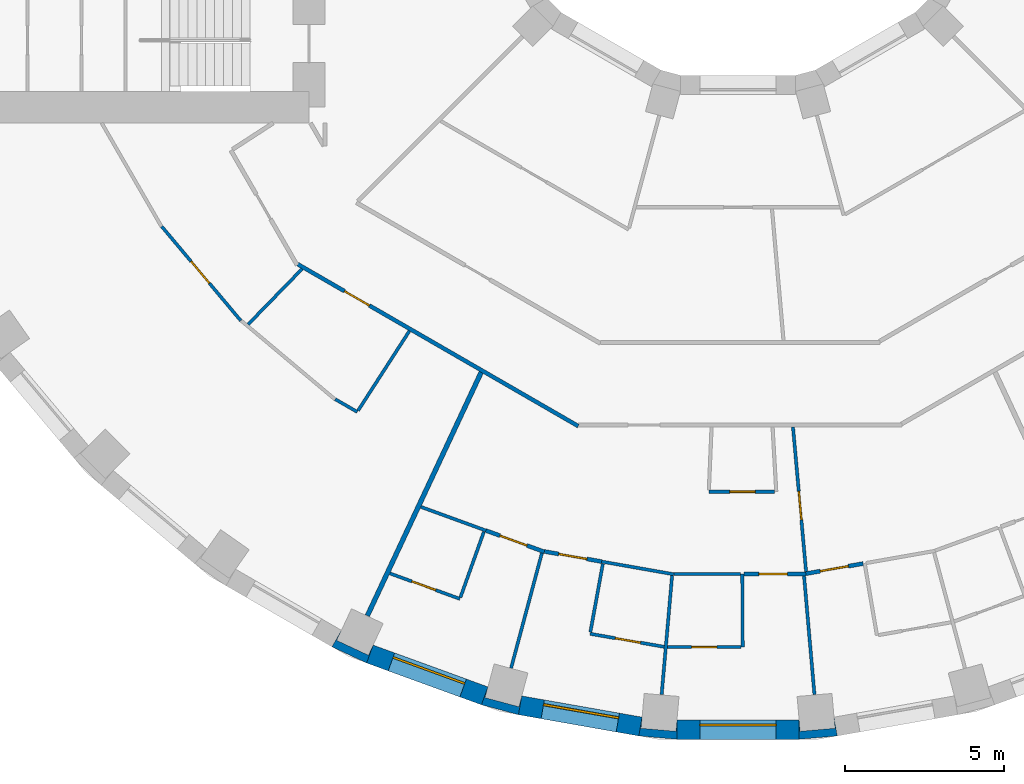
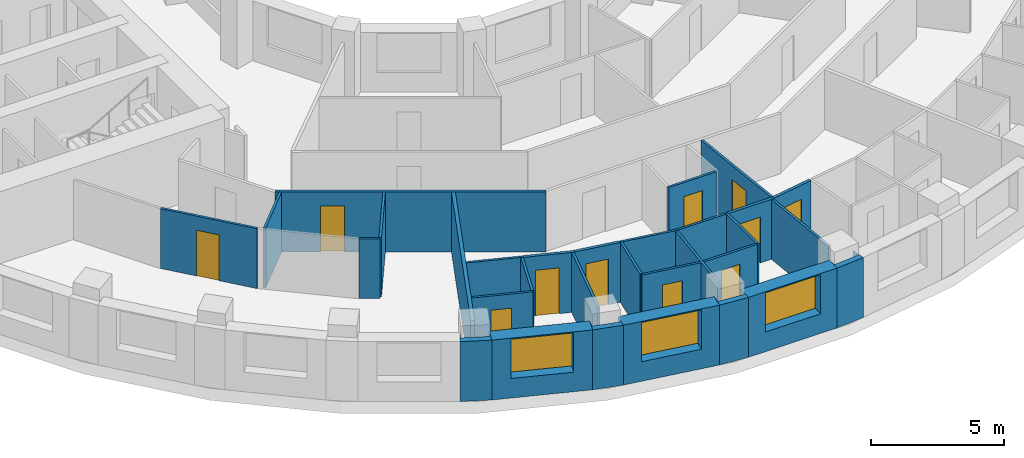
# One storey, part 4 of 15: 31 walls, 11 doors, 3 windows, 14 openings.
"""IFC4 building model written with IfcOpenShell, lengths in metres."""

from ifc_helpers import new_model, si_unit, direction, frame, frame_2d, origin, place, context, subcontext, project, spatial, polyline, rectangle, outline, extrude, material, layer, layer_set, type_object, element, fill, save


model = new_model("IFC4")

# Units and contexts
model_context = context("Model", 3, precision=1e-05, world=origin(), true_north=direction((0.0, 1.0)))
body_context = subcontext(model_context, "Body", "Model", "MODEL_VIEW")
ifc_project = project(units=[si_unit("LENGTHUNIT", "METRE"), si_unit("AREAUNIT", "SQUARE_METRE"), si_unit("VOLUMEUNIT", "CUBIC_METRE"), si_unit("PLANEANGLEUNIT", "RADIAN"), si_unit("MASSUNIT", "GRAM", prefix="KILO")], contexts=[model_context])

# Site, building, storey
site_placement = place(None, origin())
site = spatial("IfcSite", under=ifc_project, at=site_placement, CompositionType="ELEMENT")
building_placement = place(site_placement, origin())
building = spatial("IfcBuilding", under=site, at=building_placement, Name="Saqina Gate Tower", CompositionType="ELEMENT")
storey_placement = place(building_placement, frame((0.0, 0.0, 56.0)))
storey = spatial("IfcBuildingStorey", under=building, at=storey_placement, Name="L15", CompositionType="ELEMENT", Elevation=56.0)

# Walls
ifc_material_1 = material(Name="Brick masonry (red)", Category="masonry")
wall_type_1 = type_object("IfcWallType", Name="BRICK PIER COPING RED", PredefinedType="SOLIDWALL", material=ifc_material_1)
wall_1_placement = place(storey_placement, origin())
element("IfcWall", 1, at=wall_1_placement, inside=storey, type_object=wall_type_1, Name="Pier cap L15 column 25", PredefinedType="SOLIDWALL", context=body_context, shape_type="SweptSolid", body=[
    extrude(outline(polyline([(-11.687744140625, -26.48974609375), (-11.482666015625, -25.92578125), (-11.630615234375, -26.243408203125), (-12.627685546875, -25.778564453125), (-12.4794921875, -25.4609375), (-12.779541015625, -25.980712890625), (-11.687744140625, -26.48974609375)])), origin(), (0.0, 0.0, 1.0), 2.75),
])
wall_2_placement = place(storey_placement, origin())
element("IfcWall", 2, at=wall_2_placement, inside=storey, type_object=wall_type_1, Name="Pier cap L15 column 26", PredefinedType="SOLIDWALL", context=body_context, shape_type="SweptSolid", body=[
    extrude(outline(polyline([(-6.910400390625, -28.11669921875), (-6.80615234375, -27.52587890625), (-6.896728515625, -27.864501953125), (-7.95947265625, -27.57958984375), (-7.86865234375, -27.2412109375), (-8.073974609375, -27.80517578125), (-6.910400390625, -28.11669921875)])), origin(), (0.0, 0.0, 1.0), 2.75),
])
wall_3_placement = place(storey_placement, origin())
element("IfcWall", 3, at=wall_3_placement, inside=storey, type_object=wall_type_1, Name="Pier cap L15 column 27", PredefinedType="SOLIDWALL", context=body_context, shape_type="SweptSolid", body=[
    extrude(outline(polyline([(-3.122802734375, -28.78466796875), (-1.9228515625, -28.8896484375), (-1.9228515625, -28.28955078125), (-1.95361328125, -28.638671875), (-3.04931640625, -28.54296875), (-3.018798828125, -28.19384765625), (-3.122802734375, -28.78466796875)])), origin(), (0.0, 0.0, 1.0), 2.75),
])
wall_4_placement = place(storey_placement, origin())
element("IfcWall", 4, at=wall_4_placement, inside=storey, type_object=wall_type_1, Name="Pier cap L15 column 28", PredefinedType="SOLIDWALL", context=body_context, shape_type="SweptSolid", body=[
    extrude(outline(polyline([(1.9228515625, -28.8896484375), (3.122802734375, -28.78466796875), (3.018798828125, -28.19384765625), (3.04931640625, -28.54296875), (1.95361328125, -28.638671875), (1.9228515625, -28.28955078125), (1.9228515625, -28.8896484375)])), origin(), (0.0, 0.0, 1.0), 2.75),
])

# Wall, opening, window
ifc_material_2 = material(Name="Brick masonry (red)", Category="masonry")
ifc_layer_1 = layer(ifc_material_2, 0.60009765625)
ifc_layer_set_1 = layer_set([ifc_layer_1], Name="FW-BRICK-RED")
wall_type_2 = type_object("IfcWallType", Name="FW-BRICK-RED", PredefinedType="SOLIDWALL", material=ifc_layer_set_1)
wall_5_placement = place(storey_placement, frame((-11.585205078125, -26.207763671875, 0.0), z_axis=(0.0, 0.0, 1.0), x_axis=(0.939689588564, -0.342028474173, 0.0)))
wall_5 = element("IfcWall", 5, at=wall_5_placement, inside=storey, type_object=wall_type_2, Name="Facade wall L15 facet 25", PredefinedType="SOLIDWALL", context=body_context, shape_type="SweptSolid", body=[
    extrude(rectangle(XDim=3.845947265625, YDim=0.60009765625, at=frame_2d((1.9228515625, 0.0))), origin(), (0.0, 0.0, 1.0), 2.75),
])
opening_1_placement = place(wall_5_placement, frame((0.722900390625, 0.0, 0.89990234375)))
opening_1 = element("IfcOpeningElement", 6, at=opening_1_placement, cuts=wall_5, Name="Opening G04-W15", PredefinedType="OPENING", context=body_context, shape_type="SweptSolid", body=[
    extrude(rectangle(XDim=2.39990234375, YDim=1.800048828125, at=frame_2d((1.199951171875, 0.89990234375))), frame((0.0, 0.31201171875, 0.0), z_axis=(0.0, -1.0, 0.0), x_axis=(1.0, 0.0, 0.0)), (0.0, 0.0, 1.0), 0.6240234375),
])
ifc_material_3 = material(Name="Aluminium glazing", Category="aluminium")
window_type = type_object("IfcWindowType", Name="WN-A", PartitioningType="SINGLE_PANEL", PredefinedType="WINDOW", material=ifc_material_3)
window_1_placement = place(opening_1_placement, origin())
window_1 = element("IfcWindow", 7, at=window_1_placement, inside=storey, type_object=window_type, Name="Window L15 facet 25", OverallHeight=1.800048828125, OverallWidth=2.39990234375, PartitioningType="SINGLE_PANEL", PredefinedType="WINDOW", context=body_context, shape_type="SweptSolid", body=[
    extrude(rectangle(XDim=2.39990234375, YDim=1.800048828125, at=frame_2d((1.199951171875, 0.89990234375))), frame((0.0, 0.179931640625, 0.0), z_axis=(0.0, -1.0, 0.0), x_axis=(1.0, 0.0, 0.0)), (0.0, 0.0, 1.0), 0.06005859375),
])
fill(opening_1, window_1)

wall_6_placement = place(storey_placement, frame((-6.858154296875, -27.8212890625, 0.0), z_axis=(0.0, 0.0, 1.0), x_axis=(0.984800809218, -0.173687553279, 0.0)))
wall_6 = element("IfcWall", 8, at=wall_6_placement, inside=storey, type_object=wall_type_2, Name="Facade wall L15 facet 26", PredefinedType="SOLIDWALL", context=body_context, shape_type="SweptSolid", body=[
    extrude(rectangle(XDim=3.845703125, YDim=0.60009765625, at=frame_2d((1.9228515625, 0.0))), origin(), (0.0, 0.0, 1.0), 2.75),
])
opening_2_placement = place(wall_6_placement, frame((0.722900390625, 0.0, 0.89990234375)))
opening_2 = element("IfcOpeningElement", 9, at=opening_2_placement, cuts=wall_6, Name="Opening G04-W16", PredefinedType="OPENING", context=body_context, shape_type="SweptSolid", body=[
    extrude(rectangle(XDim=2.39990234375, YDim=1.800048828125, at=frame_2d((1.199951171875, 0.89990234375))), frame((0.0, 0.31201171875, 0.0), z_axis=(0.0, -1.0, 0.0), x_axis=(1.0, 0.0, 0.0)), (0.0, 0.0, 1.0), 0.6240234375),
])
window_2_placement = place(opening_2_placement, origin())
window_2 = element("IfcWindow", 10, at=window_2_placement, inside=storey, type_object=window_type, Name="Window L15 facet 26", OverallHeight=1.800048828125, OverallWidth=2.39990234375, PartitioningType="SINGLE_PANEL", PredefinedType="WINDOW", context=body_context, shape_type="SweptSolid", body=[
    extrude(rectangle(XDim=2.39990234375, YDim=1.800048828125, at=frame_2d((1.199951171875, 0.89990234375))), frame((0.0, 0.179931640625, 0.0), z_axis=(0.0, -1.0, 0.0), x_axis=(1.0, 0.0, 0.0)), (0.0, 0.0, 1.0), 0.06005859375),
])
fill(opening_2, window_2)

wall_7_placement = place(storey_placement, frame((-1.9228515625, -28.589599609375, 0.0), z_axis=(0.0, 0.0, 1.0), x_axis=(1.0, 0.0, 0.0)))
wall_7 = element("IfcWall", 11, at=wall_7_placement, inside=storey, type_object=wall_type_2, Name="Facade wall L15 facet 27", PredefinedType="SOLIDWALL", context=body_context, shape_type="SweptSolid", body=[
    extrude(rectangle(XDim=3.845703125, YDim=0.60009765625, at=frame_2d((1.9228515625, 0.0))), origin(), (0.0, 0.0, 1.0), 2.75),
])
opening_3_placement = place(wall_7_placement, frame((0.722900390625, 0.0, 0.89990234375)))
opening_3 = element("IfcOpeningElement", 12, at=opening_3_placement, cuts=wall_7, Name="Opening G04-W17", PredefinedType="OPENING", context=body_context, shape_type="SweptSolid", body=[
    extrude(rectangle(XDim=2.39990234375, YDim=1.800048828125, at=frame_2d((1.199951171875, 0.89990234375))), frame((0.0, 0.31201171875, 0.0), z_axis=(0.0, -1.0, 0.0), x_axis=(1.0, 0.0, 0.0)), (0.0, 0.0, 1.0), 0.6240234375),
])
window_3_placement = place(opening_3_placement, origin())
window_3 = element("IfcWindow", 13, at=window_3_placement, inside=storey, type_object=window_type, Name="Window L15 facet 27", OverallHeight=1.800048828125, OverallWidth=2.39990234375, PartitioningType="SINGLE_PANEL", PredefinedType="WINDOW", context=body_context, shape_type="SweptSolid", body=[
    extrude(rectangle(XDim=2.39990234375, YDim=1.800048828125, at=frame_2d((1.199951171875, 0.89990234375))), frame((0.0, 0.179931640625, 0.0), z_axis=(0.0, -1.0, 0.0), x_axis=(1.0, 0.0, 0.0)), (0.0, 0.0, 1.0), 0.06005859375),
])
fill(opening_3, window_3)

# Walls
ifc_material_4 = material(Name="Gypsum board on steel studs, 100 mm", Category="steel")
ifc_layer_2 = layer(ifc_material_4, 0.10009765625)
ifc_layer_set_2 = layer_set([ifc_layer_2], Name="PARTITION 100")
wall_type_3 = type_object("IfcWallType", Name="PARTITION 100", PredefinedType="PARTITIONING", material=ifc_layer_set_2)
wall_8_placement = place(storey_placement, frame((0.133056640625, -23.68994140625, 0.0), z_axis=(0.0, 0.0, 1.0), x_axis=(0.005625640731, -0.999984175958, 0.0)))
element("IfcWall", 14, at=wall_8_placement, inside=storey, type_object=wall_type_3, Name="PARTITION PW3-01", PredefinedType="PARTITIONING", context=body_context, shape_type="SweptSolid", body=[
    extrude(rectangle(XDim=2.300048828125, YDim=0.10009765625, at=frame_2d((1.14990234375, 0.0))), origin(), (0.0, 0.0, 1.0), 2.75),
])
wall_9_placement = place(storey_placement, frame((2.07666015625, -23.75244140625, 0.0), z_axis=(0.0, 0.0, 1.0), x_axis=(0.087439331166, -0.996169846645, 0.0)))
element("IfcWall", 15, at=wall_9_placement, inside=storey, type_object=wall_type_3, Name="PARTITION PW3-03", PredefinedType="PARTITIONING", context=body_context, shape_type="SweptSolid", body=[
    extrude(rectangle(XDim=3.7470703125, YDim=0.10009765625, at=frame_2d((1.87353515625, 0.0))), origin(), (0.0, 0.0, 1.0), 2.75),
])

# Wall, opening, door
wall_10_placement = place(storey_placement, frame((1.7275390625, -19.062255859375, 0.0), z_axis=(0.0, 0.0, 1.0), x_axis=(0.090314228744, -0.995913319565, 0.0)))
wall_10 = element("IfcWall", 16, at=wall_10_placement, inside=storey, type_object=wall_type_3, Name="PARTITION PW3-06", PredefinedType="PARTITIONING", context=body_context, shape_type="SweptSolid", body=[
    extrude(rectangle(XDim=4.5712890625, YDim=0.10009765625, at=frame_2d((2.28564453125, 0.0))), origin(), (0.0, 0.0, 1.0), 2.75),
])
opening_4_placement = place(wall_10_placement, frame((2.03564453125, 0.0, 0.0)))
opening_4 = element("IfcOpeningElement", 17, at=opening_4_placement, cuts=wall_10, Name="Opening G04-D51", PredefinedType="OPENING", context=body_context, shape_type="SweptSolid", body=[
    extrude(rectangle(XDim=0.89990234375, YDim=2.10009765625, at=frame_2d((0.449951171875, 1.050048828125))), frame((0.0, 0.06201171875, 0.0), z_axis=(0.0, -1.0, 0.0), x_axis=(1.0, 0.0, 0.0)), (0.0, 0.0, 1.0), 0.1240234375),
])
ifc_material_5 = material(Name="Timber door leaf, 900 mm", Category="wood")
door_type_1 = type_object("IfcDoorType", Name="DOOR 900 TIMBER", OperationType="SINGLE_SWING_LEFT", PredefinedType="DOOR", material=ifc_material_5)
door_1_placement = place(opening_4_placement, frame((0.89990234375, 0.0, 0.0), z_axis=(0.0, 0.0, 1.0), x_axis=(-1.0, 0.0, 0.0)))
door_1 = element("IfcDoor", 18, at=door_1_placement, inside=storey, type_object=door_type_1, Name="DOOR G04-D51", OperationType="SINGLE_SWING_RIGHT", OverallHeight=2.10009765625, OverallWidth=0.89990234375, PredefinedType="DOOR", context=body_context, shape_type="SweptSolid", body=[
    extrude(rectangle(XDim=0.89990234375, YDim=2.10009765625, at=frame_2d((0.449951171875, 1.050048828125))), frame((0.0, 0.02490234375, 0.0), z_axis=(0.0, -1.0, 0.0), x_axis=(1.0, 0.0, 0.0)), (0.0, 0.0, 1.0), 0.050048828125),
])
fill(opening_4, door_1)

wall_11_placement = place(storey_placement, frame((-18.1318359375, -12.75634765625, 0.0), z_axis=(0.0, 0.0, 1.0), x_axis=(0.642851400185, -0.765990912009, 0.0)))
wall_11 = element("IfcWall", 19, at=wall_11_placement, inside=storey, type_object=wall_type_3, Name="PARTITION PW3-21", PredefinedType="PARTITIONING", context=body_context, shape_type="SweptSolid", body=[
    extrude(rectangle(XDim=3.8662109375, YDim=0.10009765625, at=frame_2d((1.93310546875, 0.0))), origin(), (0.0, 0.0, 1.0), 2.75),
])
opening_5_placement = place(wall_11_placement, frame((1.432861328125, 0.0, 0.0)))
opening_5 = element("IfcOpeningElement", 20, at=opening_5_placement, cuts=wall_11, Name="Opening G04-D38", PredefinedType="OPENING", context=body_context, shape_type="SweptSolid", body=[
    extrude(rectangle(XDim=0.89990234375, YDim=2.10009765625, at=frame_2d((0.449951171875, 1.050048828125))), frame((0.0, 0.06201171875, 0.0), z_axis=(0.0, -1.0, 0.0), x_axis=(1.0, 0.0, 0.0)), (0.0, 0.0, 1.0), 0.1240234375),
])
door_2_placement = place(opening_5_placement, frame((0.89990234375, 0.0, 0.0), z_axis=(0.0, 0.0, 1.0), x_axis=(-1.0, 0.0, 0.0)))
door_2 = element("IfcDoor", 21, at=door_2_placement, inside=storey, type_object=door_type_1, Name="DOOR G04-D38", OperationType="SINGLE_SWING_RIGHT", OverallHeight=2.10009765625, OverallWidth=0.89990234375, PredefinedType="DOOR", context=body_context, shape_type="SweptSolid", body=[
    extrude(rectangle(XDim=0.89990234375, YDim=2.10009765625, at=frame_2d((0.449951171875, 1.050048828125))), frame((0.0, 0.02490234375, 0.0), z_axis=(0.0, -1.0, 0.0), x_axis=(1.0, 0.0, 0.0)), (0.0, 0.0, 1.0), 0.050048828125),
])
fill(opening_5, door_2)

# Wall
wall_12_placement = place(storey_placement, frame((-12.6748046875, -18.18896484375, 0.0), z_axis=(0.0, 0.0, 1.0), x_axis=(0.865961984968, -0.500109828528, 0.0)))
element("IfcWall", 22, at=wall_12_placement, inside=storey, type_object=wall_type_3, Name="PARTITION PW3-39", PredefinedType="PARTITIONING", context=body_context, shape_type="SweptSolid", body=[
    extrude(rectangle(XDim=0.800048828125, YDim=0.10009765625, at=frame_2d((0.39990234375, 0.0))), origin(), (0.0, 0.0, 1.0), 2.75),
])

# Wall, opening, door
wall_13_placement = place(storey_placement, frame((-10.95458984375, -23.670654296875, 0.0), z_axis=(0.0, 0.0, 1.0), x_axis=(0.939750838969, -0.341860147805, 0.0)))
wall_13 = element("IfcWall", 23, at=wall_13_placement, inside=storey, type_object=wall_type_3, Name="PARTITION PW3-47", PredefinedType="PARTITIONING", context=body_context, shape_type="SweptSolid", body=[
    extrude(rectangle(XDim=2.34375, YDim=0.10009765625, at=frame_2d((1.171875, 0.0))), origin(), (0.0, 0.0, 1.0), 2.75),
])
opening_6_placement = place(wall_13_placement, frame((0.734375, 0.0, 0.0)))
opening_6 = element("IfcOpeningElement", 24, at=opening_6_placement, cuts=wall_13, Name="Opening G04-D42", PredefinedType="OPENING", context=body_context, shape_type="SweptSolid", body=[
    extrude(rectangle(XDim=0.800048828125, YDim=2.10009765625, at=frame_2d((0.39990234375, 1.050048828125))), frame((0.0, 0.06201171875, 0.0), z_axis=(0.0, -1.0, 0.0), x_axis=(1.0, 0.0, 0.0)), (0.0, 0.0, 1.0), 0.1240234375),
])
ifc_material_6 = material(Name="Timber door leaf, 800 mm", Category="wood")
door_type_2 = type_object("IfcDoorType", Name="DOOR 800 TIMBER", OperationType="SINGLE_SWING_LEFT", PredefinedType="DOOR", material=ifc_material_6)
door_3_placement = place(opening_6_placement, frame((0.800048828125, 0.0, 0.0), z_axis=(0.0, 0.0, 1.0), x_axis=(-1.0, 0.0, 0.0)))
door_3 = element("IfcDoor", 25, at=door_3_placement, inside=storey, type_object=door_type_2, Name="DOOR G04-D42", OperationType="SINGLE_SWING_RIGHT", OverallHeight=2.10009765625, OverallWidth=0.800048828125, PredefinedType="DOOR", context=body_context, shape_type="SweptSolid", body=[
    extrude(rectangle(XDim=0.800048828125, YDim=2.10009765625, at=frame_2d((0.39990234375, 1.050048828125))), frame((0.0, 0.02490234375, 0.0), z_axis=(0.0, -1.0, 0.0), x_axis=(1.0, 0.0, 0.0)), (0.0, 0.0, 1.0), 0.050048828125),
])
fill(opening_6, door_3)

# Wall
wall_14_placement = place(storey_placement, frame((-9.9794921875, -21.57763671875, 0.0), z_axis=(0.0, 0.0, 1.0), x_axis=(0.939731280586, -0.341913907714, 0.0)))
element("IfcWall", 26, at=wall_14_placement, inside=storey, type_object=wall_type_3, Name="PARTITION PW3-48", PredefinedType="PARTITIONING", context=body_context, shape_type="SweptSolid", body=[
    extrude(rectangle(XDim=2.179931640625, YDim=0.10009765625, at=frame_2d((1.08984375, 0.0))), origin(), (0.0, 0.0, 1.0), 2.75),
])

# Wall, opening, door
wall_15_placement = place(storey_placement, frame((-4.656005859375, -25.570068359375, 0.0), z_axis=(0.0, 0.0, 1.0), x_axis=(0.984821926169, -0.173567778511, 0.0)))
wall_15 = element("IfcWall", 27, at=wall_15_placement, inside=storey, type_object=wall_type_3, Name="PARTITION PW3-51", PredefinedType="PARTITIONING", context=body_context, shape_type="SweptSolid", body=[
    extrude(rectangle(XDim=2.36865234375, YDim=0.10009765625, at=frame_2d((1.184326171875, 0.0))), origin(), (0.0, 0.0, 1.0), 2.75),
])
opening_7_placement = place(wall_15_placement, frame((0.809326171875, 0.0, 0.0)))
opening_7 = element("IfcOpeningElement", 28, at=opening_7_placement, cuts=wall_15, Name="Opening G04-D46", PredefinedType="OPENING", context=body_context, shape_type="SweptSolid", body=[
    extrude(rectangle(XDim=0.800048828125, YDim=2.10009765625, at=frame_2d((0.39990234375, 1.050048828125))), frame((0.0, 0.06201171875, 0.0), z_axis=(0.0, -1.0, 0.0), x_axis=(1.0, 0.0, 0.0)), (0.0, 0.0, 1.0), 0.1240234375),
])
door_4_placement = place(opening_7_placement, frame((0.800048828125, 0.0, 0.0), z_axis=(0.0, 0.0, 1.0), x_axis=(-1.0, 0.0, 0.0)))
door_4 = element("IfcDoor", 29, at=door_4_placement, inside=storey, type_object=door_type_2, Name="DOOR G04-D46", OperationType="SINGLE_SWING_LEFT", OverallHeight=2.10009765625, OverallWidth=0.800048828125, PredefinedType="DOOR", context=body_context, shape_type="SweptSolid", body=[
    extrude(rectangle(XDim=0.800048828125, YDim=2.10009765625, at=frame_2d((0.39990234375, 1.050048828125))), frame((0.0, 0.02490234375, 0.0), z_axis=(0.0, -1.0, 0.0), x_axis=(1.0, 0.0, 0.0)), (0.0, 0.0, 1.0), 0.050048828125),
])
fill(opening_7, door_4)

# Wall
wall_16_placement = place(storey_placement, frame((-4.293212890625, -23.29833984375, 0.0), z_axis=(0.0, 0.0, 1.0), x_axis=(0.984801677979, -0.173682627367, 0.0)))
element("IfcWall", 30, at=wall_16_placement, inside=storey, type_object=wall_type_3, Name="PARTITION PW3-52", PredefinedType="PARTITIONING", context=body_context, shape_type="SweptSolid", body=[
    extrude(rectangle(XDim=2.305419921875, YDim=0.10009765625, at=frame_2d((1.15283203125, 0.0))), origin(), (0.0, 0.0, 1.0), 2.75),
])

# Wall, opening, door
wall_17_placement = place(storey_placement, frame((-2.22412109375, -25.989990234375, 0.0), z_axis=(0.0, 0.0, 1.0), x_axis=(1.0, 0.0, 0.0)))
wall_17 = element("IfcWall", 31, at=wall_17_placement, inside=storey, type_object=wall_type_3, Name="PARTITION PW3-55", PredefinedType="PARTITIONING", context=body_context, shape_type="SweptSolid", body=[
    extrude(rectangle(XDim=2.320068359375, YDim=0.10009765625, at=frame_2d((1.16015625, 0.0))), origin(), (0.0, 0.0, 1.0), 2.75),
])
opening_8_placement = place(wall_17_placement, frame((0.760009765625, 0.0, 0.0)))
opening_8 = element("IfcOpeningElement", 32, at=opening_8_placement, cuts=wall_17, Name="Opening G04-D47", PredefinedType="OPENING", context=body_context, shape_type="SweptSolid", body=[
    extrude(rectangle(XDim=0.800048828125, YDim=2.10009765625, at=frame_2d((0.39990234375, 1.050048828125))), frame((0.0, 0.06201171875, 0.0), z_axis=(0.0, -1.0, 0.0), x_axis=(1.0, 0.0, 0.0)), (0.0, 0.0, 1.0), 0.1240234375),
])
door_5_placement = place(opening_8_placement, frame((0.800048828125, 0.0, 0.0), z_axis=(0.0, 0.0, 1.0), x_axis=(-1.0, 0.0, 0.0)))
door_5 = element("IfcDoor", 33, at=door_5_placement, inside=storey, type_object=door_type_2, Name="DOOR G04-D47", OperationType="SINGLE_SWING_RIGHT", OverallHeight=2.10009765625, OverallWidth=0.800048828125, PredefinedType="DOOR", context=body_context, shape_type="SweptSolid", body=[
    extrude(rectangle(XDim=0.800048828125, YDim=2.10009765625, at=frame_2d((0.39990234375, 1.050048828125))), frame((0.0, 0.02490234375, 0.0), z_axis=(0.0, -1.0, 0.0), x_axis=(1.0, 0.0, 0.0)), (0.0, 0.0, 1.0), 0.050048828125),
])
fill(opening_8, door_5)

# Wall
wall_18_placement = place(storey_placement, frame((-2.02294921875, -23.68994140625, 0.0), z_axis=(0.0, 0.0, 1.0), x_axis=(1.0, 0.0, 0.0)))
element("IfcWall", 34, at=wall_18_placement, inside=storey, type_object=wall_type_3, Name="PARTITION PW3-56", PredefinedType="PARTITIONING", context=body_context, shape_type="SweptSolid", body=[
    extrude(rectangle(XDim=2.10595703125, YDim=0.10009765625, at=frame_2d((1.052978515625, 0.0))), origin(), (0.0, 0.0, 1.0), 2.75),
])

# Wall, opening, door
wall_19_placement = place(storey_placement, frame((-0.9208984375, -21.10009765625, 0.0), z_axis=(0.0, 0.0, 1.0), x_axis=(1.0, 0.0, 0.0)))
wall_19 = element("IfcWall", 35, at=wall_19_placement, inside=storey, type_object=wall_type_3, Name="PARTITION PW3-57", PredefinedType="PARTITIONING", context=body_context, shape_type="SweptSolid", body=[
    extrude(rectangle(XDim=2.072998046875, YDim=0.10009765625, at=frame_2d((1.03662109375, 0.0))), origin(), (0.0, 0.0, 1.0), 2.75),
])
opening_9_placement = place(wall_19_placement, frame((0.66162109375, 0.0, 0.0)))
opening_9 = element("IfcOpeningElement", 36, at=opening_9_placement, cuts=wall_19, Name="Opening G04-D49", PredefinedType="OPENING", context=body_context, shape_type="SweptSolid", body=[
    extrude(rectangle(XDim=0.800048828125, YDim=2.10009765625, at=frame_2d((0.39990234375, 1.050048828125))), frame((0.0, 0.06201171875, 0.0), z_axis=(0.0, -1.0, 0.0), x_axis=(1.0, 0.0, 0.0)), (0.0, 0.0, 1.0), 0.1240234375),
])
door_6_placement = place(opening_9_placement, frame((0.800048828125, 0.0, 0.0), z_axis=(0.0, 0.0, 1.0), x_axis=(-1.0, 0.0, 0.0)))
door_6 = element("IfcDoor", 37, at=door_6_placement, inside=storey, type_object=door_type_2, Name="DOOR G04-D49", OperationType="SINGLE_SWING_LEFT", OverallHeight=2.10009765625, OverallWidth=0.800048828125, PredefinedType="DOOR", context=body_context, shape_type="SweptSolid", body=[
    extrude(rectangle(XDim=0.800048828125, YDim=2.10009765625, at=frame_2d((0.39990234375, 1.050048828125))), frame((0.0, 0.02490234375, 0.0), z_axis=(0.0, -1.0, 0.0), x_axis=(1.0, 0.0, 0.0)), (0.0, 0.0, 1.0), 0.050048828125),
])
fill(opening_9, door_6)

# Walls
wall_20_placement = place(storey_placement, frame((-15.4150390625, -15.835205078125, 0.0), z_axis=(0.0, 0.0, 1.0), x_axis=(0.697366094861, 0.716715096631, 0.0)))
element("IfcWall", 38, at=wall_20_placement, inside=storey, type_object=wall_type_3, Name="PARTITION PW3-83", PredefinedType="PARTITIONING", context=body_context, shape_type="SweptSolid", body=[
    extrude(rectangle(XDim=2.435302734375, YDim=0.10009765625, at=frame_2d((1.2177734375, 0.0))), origin(), (0.0, 0.0, 1.0), 2.75),
])
wall_21_placement = place(storey_placement, frame((-11.954833984375, -18.546875, 0.0), z_axis=(0.0, 0.0, 1.0), x_axis=(0.541837653492, 0.840483168932, 0.0)))
element("IfcWall", 39, at=wall_21_placement, inside=storey, type_object=wall_type_3, Name="PARTITION PW3-90", PredefinedType="PARTITIONING", context=body_context, shape_type="SweptSolid", body=[
    extrude(rectangle(XDim=2.98046875, YDim=0.10009765625, at=frame_2d((1.490234375, 0.0))), origin(), (0.0, 0.0, 1.0), 2.75),
])
wall_22_placement = place(storey_placement, frame((-8.735107421875, -24.4248046875, 0.0), z_axis=(0.0, 0.0, 1.0), x_axis=(0.336477788464, 0.941691402674, 0.0)))
element("IfcWall", 40, at=wall_22_placement, inside=storey, type_object=wall_type_3, Name="PARTITION PW3-103", PredefinedType="PARTITIONING", context=body_context, shape_type="SweptSolid", body=[
    extrude(rectangle(XDim=2.1875, YDim=0.10009765625, at=frame_2d((1.09375, 0.0))), origin(), (0.0, 0.0, 1.0), 2.75),
])
wall_23_placement = place(storey_placement, frame((-7.14111328125, -26.64990234375, 0.0), z_axis=(0.0, 0.0, 1.0), x_axis=(0.258842464283, 0.965919550834, 0.0)))
element("IfcWall", 41, at=wall_23_placement, inside=storey, type_object=wall_type_3, Name="PARTITION PW3-106", PredefinedType="PARTITIONING", context=body_context, shape_type="SweptSolid", body=[
    extrude(rectangle(XDim=3.747314453125, YDim=0.10009765625, at=frame_2d((1.87353515625, 0.0))), origin(), (0.0, 0.0, 1.0), 2.75),
])
wall_24_placement = place(storey_placement, frame((-4.64697265625, -25.520751953125, 0.0), z_axis=(0.0, 0.0, 1.0), x_axis=(0.179130970408, 0.983825236229, 0.0)))
element("IfcWall", 42, at=wall_24_placement, inside=storey, type_object=wall_type_3, Name="PARTITION PW3-109", PredefinedType="PARTITIONING", context=body_context, shape_type="SweptSolid", body=[
    extrude(rectangle(XDim=2.1875, YDim=0.10009765625, at=frame_2d((1.09375, 0.0))), origin(), (0.0, 0.0, 1.0), 2.75),
])
wall_25_placement = place(storey_placement, frame((-2.404296875, -27.485107421875, 0.0), z_axis=(0.0, 0.0, 1.0), x_axis=(0.087473063517, 0.996166885195, 0.0)))
element("IfcWall", 43, at=wall_25_placement, inside=storey, type_object=wall_type_3, Name="PARTITION PW3-111", PredefinedType="PARTITIONING", context=body_context, shape_type="SweptSolid", body=[
    extrude(rectangle(XDim=3.759521484375, YDim=0.10009765625, at=frame_2d((1.8798828125, 0.0))), origin(), (0.0, 0.0, 1.0), 2.75),
])

# Wall, opening, door
ifc_material_7 = material(Name="Gypsum board on steel studs, 125 mm, fire rated", Category="steel")
ifc_layer_3 = layer(ifc_material_7, 0.125)
ifc_layer_set_3 = layer_set([ifc_layer_3], Name="PARTITION EI 30 125")
wall_type_4 = type_object("IfcWallType", Name="PARTITION EI 30 125", PredefinedType="PARTITIONING", material=ifc_layer_set_3)
wall_26_placement = place(storey_placement, frame((-13.85498046875, -13.940185546875, 0.0), z_axis=(0.0, 0.0, 1.0), x_axis=(0.866024825845, -0.50000100102, 0.0)))
wall_26 = element("IfcWall", 44, at=wall_26_placement, inside=storey, type_object=wall_type_4, Name="PARTITION PW1-10", PredefinedType="PARTITIONING", context=body_context, shape_type="SweptSolid", body=[
    extrude(rectangle(XDim=10.19189453125, YDim=0.125, at=frame_2d((5.095947265625, 0.0))), origin(), (0.0, 0.0, 1.0), 2.75),
])
opening_10_placement = place(wall_26_placement, frame((1.703857421875, 0.0, 0.0)))
opening_10 = element("IfcOpeningElement", 45, at=opening_10_placement, cuts=wall_26, Name="Opening G04-D39", PredefinedType="OPENING", context=body_context, shape_type="SweptSolid", body=[
    extrude(rectangle(XDim=0.89990234375, YDim=2.10009765625, at=frame_2d((0.449951171875, 1.050048828125))), frame((0.0, 0.074462890625, 0.0), z_axis=(0.0, -1.0, 0.0), x_axis=(1.0, 0.0, 0.0)), (0.0, 0.0, 1.0), 0.14892578125),
])
ifc_material_8 = material(Name="Fire door leaf EI 30, 900 mm")
door_type_3 = type_object("IfcDoorType", Name="DOOR 900 EI 30", OperationType="SINGLE_SWING_LEFT", PredefinedType="DOOR", material=ifc_material_8)
door_7_placement = place(opening_10_placement, frame((0.89990234375, 0.0, 0.0), z_axis=(0.0, 0.0, 1.0), x_axis=(-1.0, 0.0, 0.0)))
door_7 = element("IfcDoor", 46, at=door_7_placement, inside=storey, type_object=door_type_3, Name="DOOR G04-D39", OperationType="SINGLE_SWING_RIGHT", OverallHeight=2.10009765625, OverallWidth=0.89990234375, PredefinedType="DOOR", context=body_context, shape_type="SweptSolid", body=[
    extrude(rectangle(XDim=0.89990234375, YDim=2.10009765625, at=frame_2d((0.449951171875, 1.050048828125))), frame((0.0, 0.02490234375, 0.0), z_axis=(0.0, -1.0, 0.0), x_axis=(1.0, 0.0, 0.0)), (0.0, 0.0, 1.0), 0.050048828125),
])
fill(opening_10, door_7)

wall_27_placement = place(storey_placement, frame((-7.930908203125, -22.322998046875, 0.0), z_axis=(0.0, 0.0, 1.0), x_axis=(0.9395852567, -0.342314979795, 0.0)))
wall_27 = element("IfcWall", 47, at=wall_27_placement, inside=storey, type_object=wall_type_4, Name="PARTITION PW1-17", PredefinedType="PARTITIONING", context=body_context, shape_type="SweptSolid", body=[
    extrude(rectangle(XDim=1.953369140625, YDim=0.125, at=frame_2d((0.9765625, 0.0))), origin(), (0.0, 0.0, 1.0), 2.75),
])
opening_11_placement = place(wall_27_placement, frame((0.47021484375, 0.0, 0.0)))
opening_11 = element("IfcOpeningElement", 48, at=opening_11_placement, cuts=wall_27, Name="Opening G04-D43", PredefinedType="OPENING", context=body_context, shape_type="SweptSolid", body=[
    extrude(rectangle(XDim=0.89990234375, YDim=2.10009765625, at=frame_2d((0.449951171875, 1.050048828125))), frame((0.0, 0.074462890625, 0.0), z_axis=(0.0, -1.0, 0.0), x_axis=(1.0, 0.0, 0.0)), (0.0, 0.0, 1.0), 0.14892578125),
])
door_8_placement = place(opening_11_placement, origin())
door_8 = element("IfcDoor", 49, at=door_8_placement, inside=storey, type_object=door_type_3, Name="DOOR G04-D43", OperationType="SINGLE_SWING_RIGHT", OverallHeight=2.10009765625, OverallWidth=0.89990234375, PredefinedType="DOOR", context=body_context, shape_type="SweptSolid", body=[
    extrude(rectangle(XDim=0.89990234375, YDim=2.10009765625, at=frame_2d((0.449951171875, 1.050048828125))), frame((0.0, 0.02490234375, 0.0), z_axis=(0.0, -1.0, 0.0), x_axis=(1.0, 0.0, 0.0)), (0.0, 0.0, 1.0), 0.050048828125),
])
fill(opening_11, door_8)

wall_28_placement = place(storey_placement, frame((-6.093505859375, -22.98095703125, 0.0), z_axis=(0.0, 0.0, 1.0), x_axis=(0.984813123205, -0.173617719035, 0.0)))
wall_28 = element("IfcWall", 50, at=wall_28_placement, inside=storey, type_object=wall_type_4, Name="PARTITION PW1-19", PredefinedType="PARTITIONING", context=body_context, shape_type="SweptSolid", body=[
    extrude(rectangle(XDim=1.828125, YDim=0.125, at=frame_2d((0.9140625, 0.0))), origin(), (0.0, 0.0, 1.0), 2.75),
])
opening_12_placement = place(wall_28_placement, frame((0.457763671875, 0.0, 0.0)))
opening_12 = element("IfcOpeningElement", 51, at=opening_12_placement, cuts=wall_28, Name="Opening G04-D44", PredefinedType="OPENING", context=body_context, shape_type="SweptSolid", body=[
    extrude(rectangle(XDim=0.89990234375, YDim=2.10009765625, at=frame_2d((0.449951171875, 1.050048828125))), frame((0.0, 0.074462890625, 0.0), z_axis=(0.0, -1.0, 0.0), x_axis=(1.0, 0.0, 0.0)), (0.0, 0.0, 1.0), 0.14892578125),
])
door_9_placement = place(opening_12_placement, origin())
door_9 = element("IfcDoor", 52, at=door_9_placement, inside=storey, type_object=door_type_3, Name="DOOR G04-D44", OperationType="SINGLE_SWING_LEFT", OverallHeight=2.10009765625, OverallWidth=0.89990234375, PredefinedType="DOOR", context=body_context, shape_type="SweptSolid", body=[
    extrude(rectangle(XDim=0.89990234375, YDim=2.10009765625, at=frame_2d((0.449951171875, 1.050048828125))), frame((0.0, 0.02490234375, 0.0), z_axis=(0.0, -1.0, 0.0), x_axis=(1.0, 0.0, 0.0)), (0.0, 0.0, 1.0), 0.050048828125),
])
fill(opening_12, door_9)

wall_29_placement = place(storey_placement, frame((0.18310546875, -23.68994140625, 0.0), z_axis=(0.0, 0.0, 1.0), x_axis=(1.0, 0.0, 0.0)))
wall_29 = element("IfcWall", 53, at=wall_29_placement, inside=storey, type_object=wall_type_4, Name="PARTITION PW1-21", PredefinedType="PARTITIONING", context=body_context, shape_type="SweptSolid", body=[
    extrude(rectangle(XDim=1.953369140625, YDim=0.125, at=frame_2d((0.9765625, 0.0))), origin(), (0.0, 0.0, 1.0), 2.75),
])
opening_13_placement = place(wall_29_placement, frame((0.469970703125, 0.0, 0.0)))
opening_13 = element("IfcOpeningElement", 54, at=opening_13_placement, cuts=wall_29, Name="Opening G04-D50", PredefinedType="OPENING", context=body_context, shape_type="SweptSolid", body=[
    extrude(rectangle(XDim=0.89990234375, YDim=2.10009765625, at=frame_2d((0.449951171875, 1.050048828125))), frame((0.0, 0.074462890625, 0.0), z_axis=(0.0, -1.0, 0.0), x_axis=(1.0, 0.0, 0.0)), (0.0, 0.0, 1.0), 0.14892578125),
])
door_10_placement = place(opening_13_placement, origin())
door_10 = element("IfcDoor", 55, at=door_10_placement, inside=storey, type_object=door_type_3, Name="DOOR G04-D50", OperationType="SINGLE_SWING_RIGHT", OverallHeight=2.10009765625, OverallWidth=0.89990234375, PredefinedType="DOOR", context=body_context, shape_type="SweptSolid", body=[
    extrude(rectangle(XDim=0.89990234375, YDim=2.10009765625, at=frame_2d((0.449951171875, 1.050048828125))), frame((0.0, 0.02490234375, 0.0), z_axis=(0.0, -1.0, 0.0), x_axis=(1.0, 0.0, 0.0)), (0.0, 0.0, 1.0), 0.050048828125),
])
fill(opening_13, door_10)

wall_30_placement = place(storey_placement, frame((2.134521484375, -23.67919921875, 0.0), z_axis=(0.0, 0.0, 1.0), x_axis=(0.984774141248, 0.173838691691, 0.0)))
wall_30 = element("IfcWall", 56, at=wall_30_placement, inside=storey, type_object=wall_type_4, Name="PARTITION PW1-27", PredefinedType="PARTITIONING", context=body_context, shape_type="SweptSolid", body=[
    extrude(rectangle(XDim=1.8271484375, YDim=0.125, at=frame_2d((0.91357421875, 0.0))), origin(), (0.0, 0.0, 1.0), 2.75),
])
opening_14_placement = place(wall_30_placement, frame((0.457275390625, 0.0, 0.0)))
opening_14 = element("IfcOpeningElement", 57, at=opening_14_placement, cuts=wall_30, Name="Opening G04-D52", PredefinedType="OPENING", context=body_context, shape_type="SweptSolid", body=[
    extrude(rectangle(XDim=0.89990234375, YDim=2.10009765625, at=frame_2d((0.449951171875, 1.050048828125))), frame((0.0, 0.074462890625, 0.0), z_axis=(0.0, -1.0, 0.0), x_axis=(1.0, 0.0, 0.0)), (0.0, 0.0, 1.0), 0.14892578125),
])
door_11_placement = place(opening_14_placement, origin())
door_11 = element("IfcDoor", 58, at=door_11_placement, inside=storey, type_object=door_type_3, Name="DOOR G04-D52", OperationType="SINGLE_SWING_LEFT", OverallHeight=2.10009765625, OverallWidth=0.89990234375, PredefinedType="DOOR", context=body_context, shape_type="SweptSolid", body=[
    extrude(rectangle(XDim=0.89990234375, YDim=2.10009765625, at=frame_2d((0.449951171875, 1.050048828125))), frame((0.0, 0.02490234375, 0.0), z_axis=(0.0, -1.0, 0.0), x_axis=(1.0, 0.0, 0.0)), (0.0, 0.0, 1.0), 0.050048828125),
])
fill(opening_14, door_11)

# Wall
ifc_material_9 = material(Name="Gypsum board on steel studs, 150 mm, fire rated", Category="steel")
ifc_layer_4 = layer(ifc_material_9, 0.14990234375)
ifc_layer_set_4 = layer_set([ifc_layer_4], Name="PARTITION EI 60 150")
wall_type_5 = type_object("IfcWallType", Name="PARTITION EI 60 150", PredefinedType="PARTITIONING", material=ifc_layer_set_4)
wall_31_placement = place(storey_placement, frame((-11.663818359375, -25.003173828125, 0.0), z_axis=(0.0, 0.0, 1.0), x_axis=(0.423588806437, 0.905854581631, 0.0)))
element("IfcWall", 59, at=wall_31_placement, inside=storey, type_object=wall_type_5, Name="PARTITION PW2-04", PredefinedType="PARTITIONING", context=body_context, shape_type="SweptSolid", body=[
    extrude(rectangle(XDim=8.45458984375, YDim=0.14990234375, at=frame_2d((4.227294921875, 0.0))), origin(), (0.0, 0.0, 1.0), 2.75),
])

save(model, "model.ifc")
